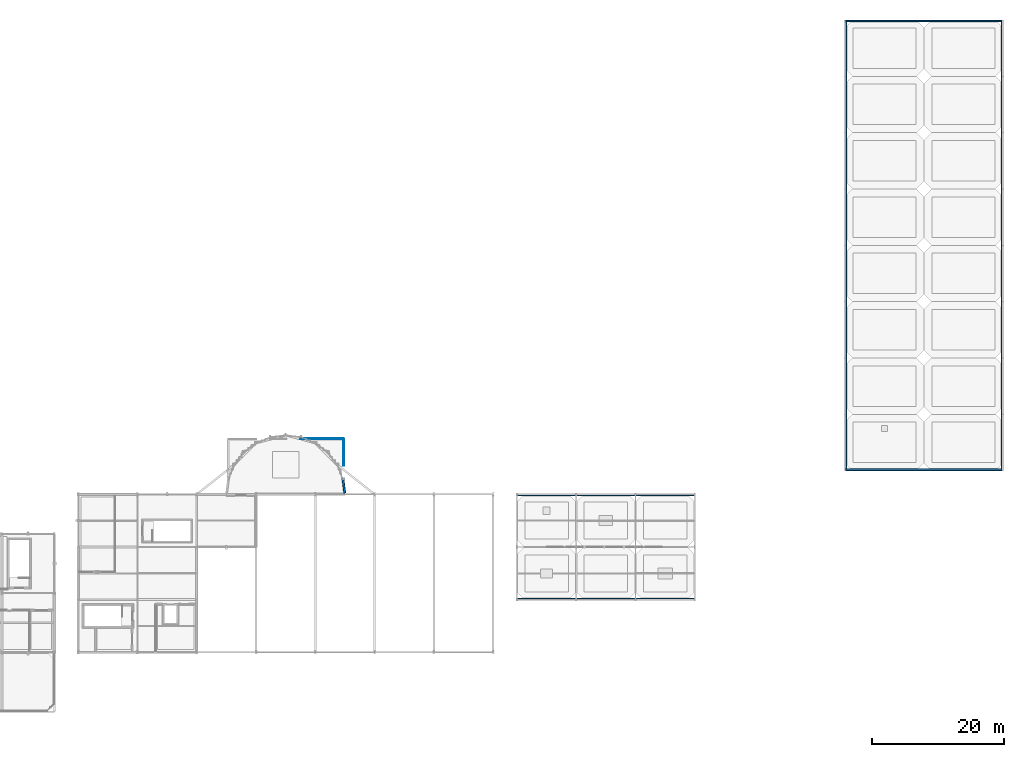
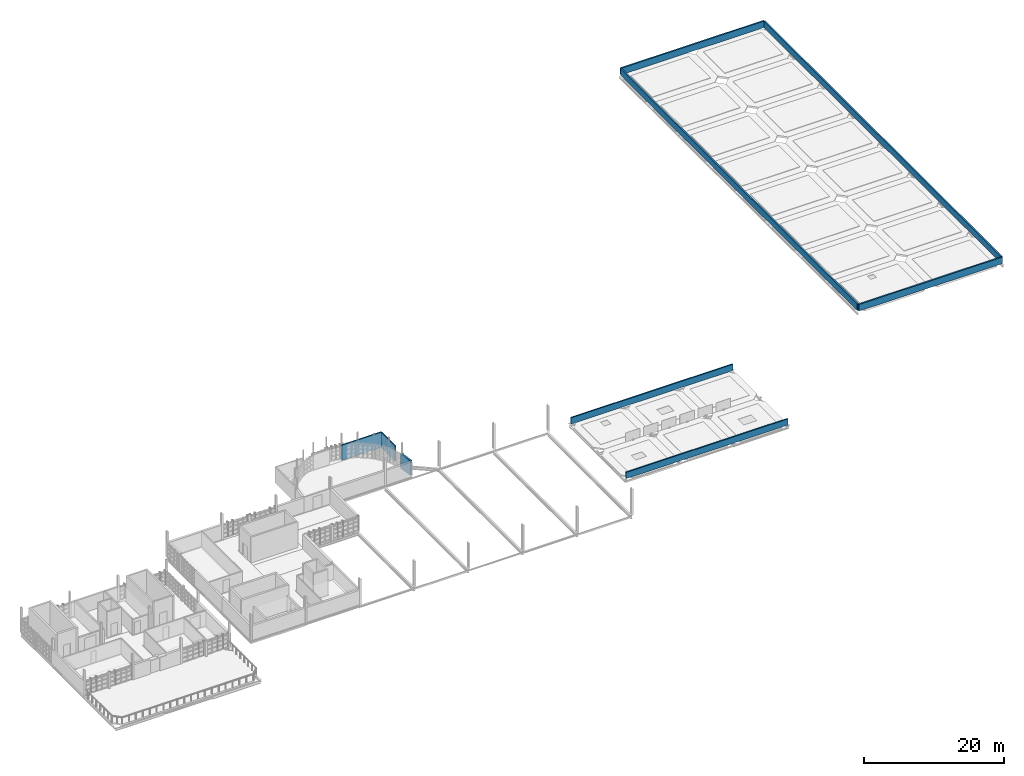
# One storey, part 40 of 44: 9 walls.
"""IFC4 building model written with IfcOpenShell, lengths in metres."""

from ifc_helpers import new_model, si_unit, direction, frame, frame_2d, origin, place, context, subcontext, project, spatial, rectangle, extrude, material, layer, layer_set, type_object, element, save


model = new_model("IFC4")

# Units and contexts
model_context = context("Model", 3, precision=1e-05, world=origin(), true_north=direction((0.0, 1.0)))
body_context = subcontext(model_context, "Body", "Model", "MODEL_VIEW")
ifc_project = project(units=[si_unit("LENGTHUNIT", "METRE"), si_unit("AREAUNIT", "SQUARE_METRE"), si_unit("VOLUMEUNIT", "CUBIC_METRE"), si_unit("PLANEANGLEUNIT", "RADIAN"), si_unit("MASSUNIT", "GRAM", prefix="KILO")], contexts=[model_context])

# Site, building, storey
site_placement = place(None, origin())
site = spatial("IfcSite", under=ifc_project, at=site_placement, CompositionType="ELEMENT")
building_placement = place(site_placement, origin())
building = spatial("IfcBuilding", under=site, at=building_placement, Name="Serraforn Aerial Cableway Station", CompositionType="ELEMENT")
storey_placement = place(building_placement, frame((0.0, 0.0, 13.800048828125)))
storey = spatial("IfcBuildingStorey", under=building, at=storey_placement, Name="L03", CompositionType="ELEMENT", Elevation=13.800048828125)

# Walls
ifc_material_1 = material(Name="Insulated fluted limestone rainscreen", Category="masonry")
ifc_layer_1 = layer(ifc_material_1, 0.304931640625)
ifc_layer_set_1 = layer_set([ifc_layer_1], Name="Insulated fluted limestone rainscreen")
wall_type_1 = type_object("IfcWallType", Name="WL-EXT-305", PredefinedType="SOLIDWALL", material=ifc_layer_set_1)
wall_1_placement = place(storey_placement, frame((68.0751953125, 42.1884765625, 0.0), z_axis=(0.0, 0.0, 1.0), x_axis=(-0.130593790016, 0.991435959611, 0.0)))
element("IfcWall", 1, at=wall_1_placement, inside=storey, type_object=wall_type_1, Name="Exterior Wall WEXT-AP-L03-R12", PredefinedType="SOLIDWALL", context=body_context, shape_type="SweptSolid", body=[
    extrude(rectangle(XDim=2.3125, YDim=0.304931640625, at=frame_2d((1.15625, 0.0))), origin(), (0.0, 0.0, 1.0), 2.550048828125),
])
ifc_material_2 = material(Name="Montjuic sandstone ashlar coping", Category="masonry")
ifc_layer_2 = layer(ifc_material_2, 0.215087890625)
ifc_layer_set_2 = layer_set([ifc_layer_2], Name="Montjuic sandstone ashlar coping")
wall_type_2 = type_object("IfcWallType", Name="WL-PAR-215", PredefinedType="PARAPET", material=ifc_layer_set_2)
for number, where, z_axis, x_axis, name in (
    (2, (94.320068359375, 41.8798828125, 0.0), (0.0, 0.0, 1.0), (1.0, 0.0, 0.0), "Roof Parapet PAR-EL-N"),
    (3, (94.320068359375, 26.1201171875, 0.0), (0.0, 0.0, 1.0), (1.0, 0.0, 0.0), "Roof Parapet PAR-EL-S"),
):
    element("IfcWall", number, at=place(storey_placement, frame(where, z_axis=z_axis, x_axis=x_axis)), inside=storey, type_object=wall_type_2, Name=name, PredefinedType="PARAPET", context=body_context, shape_type="SweptSolid", body=[
        extrude(rectangle(XDim=26.760009765625, YDim=0.215087890625, at=frame_2d((13.3798828125, 0.0))), origin(), (0.0, 0.0, 1.0), 1.099853515625),
    ])
ifc_layer_3 = layer(ifc_material_2, 0.2451171875)
ifc_layer_set_3 = layer_set([ifc_layer_3], Name="Montjuic sandstone ashlar coping")
wall_type_3 = type_object("IfcWallType", Name="WL-PAR-245", PredefinedType="PARAPET", material=ifc_layer_set_3)
for number, where, z_axis, x_axis, name in (
    (4, (144.1201171875, 45.843505859375, 0.0), (0.0, 0.0, 1.0), (0.0, 1.0, 0.0), "Roof Parapet PAR-EG-W"),
    (5, (167.8798828125, 45.843505859375, 0.0), (0.0, 0.0, 1.0), (0.0, 1.0, 0.0), "Roof Parapet PAR-EG-E"),
):
    element("IfcWall", number, at=place(storey_placement, frame(where, z_axis=z_axis, x_axis=x_axis)), inside=storey, type_object=wall_type_3, Name=name, PredefinedType="PARAPET", context=body_context, shape_type="SweptSolid", body=[
        extrude(rectangle(XDim=67.9130859375, YDim=0.2451171875, at=frame_2d((33.95654296875, 0.0))), origin(), (0.0, 0.0, 1.0), 1.14990234375),
    ])
for number, where, z_axis, x_axis, name in (
    (6, (144.1201171875, 113.8798828125, 0.0), (0.0, 0.0, 1.0), (1.0, 0.0, 0.0), "Roof Parapet PAR-EG-N"),
    (7, (144.1201171875, 45.719970703125, 0.0), (0.0, 0.0, 1.0), (1.0, 0.0, 0.0), "Roof Parapet PAR-EG-S"),
):
    element("IfcWall", number, at=place(storey_placement, frame(where, z_axis=z_axis, x_axis=x_axis)), inside=storey, type_object=wall_type_3, Name=name, PredefinedType="PARAPET", context=body_context, shape_type="SweptSolid", body=[
        extrude(rectangle(XDim=23.759765625, YDim=0.2451171875, at=frame_2d((11.8798828125, 0.0))), origin(), (0.0, 0.0, 1.0), 1.14990234375),
    ])
ifc_material_3 = material(Name="Acoustic twin-stud gypsum partition")
ifc_layer_4 = layer(ifc_material_3, 0.139892578125)
ifc_layer_set_4 = layer_set([ifc_layer_4], Name="Acoustic twin-stud gypsum partition")
wall_type_4 = type_object("IfcWallType", Name="WL-PRT-140", PredefinedType="PARTITIONING", material=ifc_layer_set_4)
wall_2_placement = place(storey_placement, frame((67.89990234375, 50.323974609375, 0.0), z_axis=(0.0, 0.0, 1.0), x_axis=(0.0, -1.0, 0.0)))
element("IfcWall", 8, at=wall_2_placement, inside=storey, type_object=wall_type_4, Name="Interior Partition WPRT-L03-10-208", PredefinedType="PARTITIONING", context=body_context, shape_type="SweptSolid", body=[
    extrude(rectangle(XDim=3.966796875, YDim=0.139892578125, at=frame_2d((1.9833984375, 0.0))), origin(), (0.0, 0.0, 1.0), 2.699951171875),
])
ifc_layer_5 = layer(ifc_material_3, 0.14990234375)
ifc_layer_set_5 = layer_set([ifc_layer_5], Name="Acoustic twin-stud gypsum partition")
wall_type_5 = type_object("IfcWallType", Name="WL-PRT-150", PredefinedType="PARTITIONING", material=ifc_layer_set_5)
wall_3_placement = place(storey_placement, frame((61.299560546875, 50.39990234375, 0.0), z_axis=(0.0, 0.0, 1.0), x_axis=(1.0, 0.0, 0.0)))
element("IfcWall", 9, at=wall_3_placement, inside=storey, type_object=wall_type_5, Name="Interior Partition WPRT-L03-10-207", PredefinedType="PARTITIONING", context=body_context, shape_type="SweptSolid", body=[
    extrude(rectangle(XDim=6.600341796875, YDim=0.14990234375, at=frame_2d((3.30029296875, 0.0))), origin(), (0.0, 0.0, 1.0), 2.699951171875),
])

save(model, "model.ifc")
